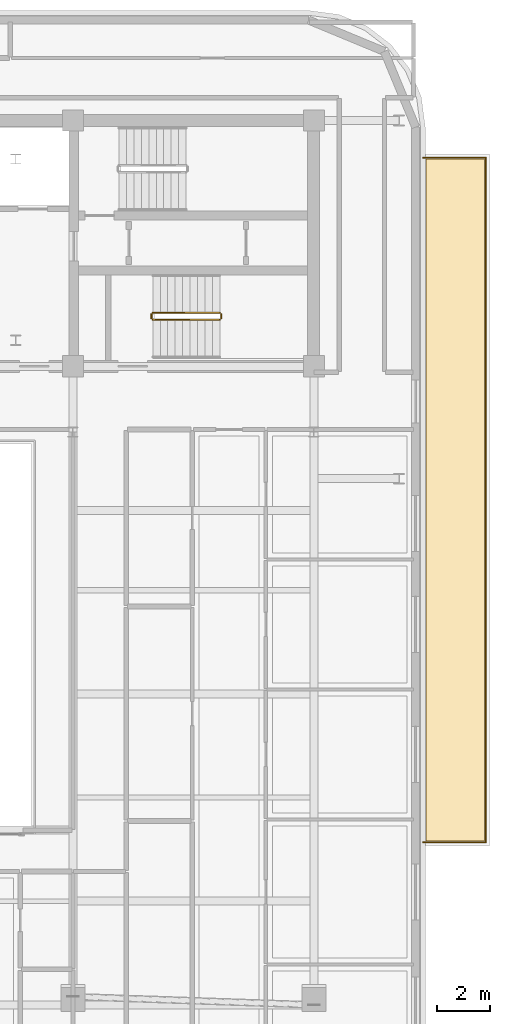
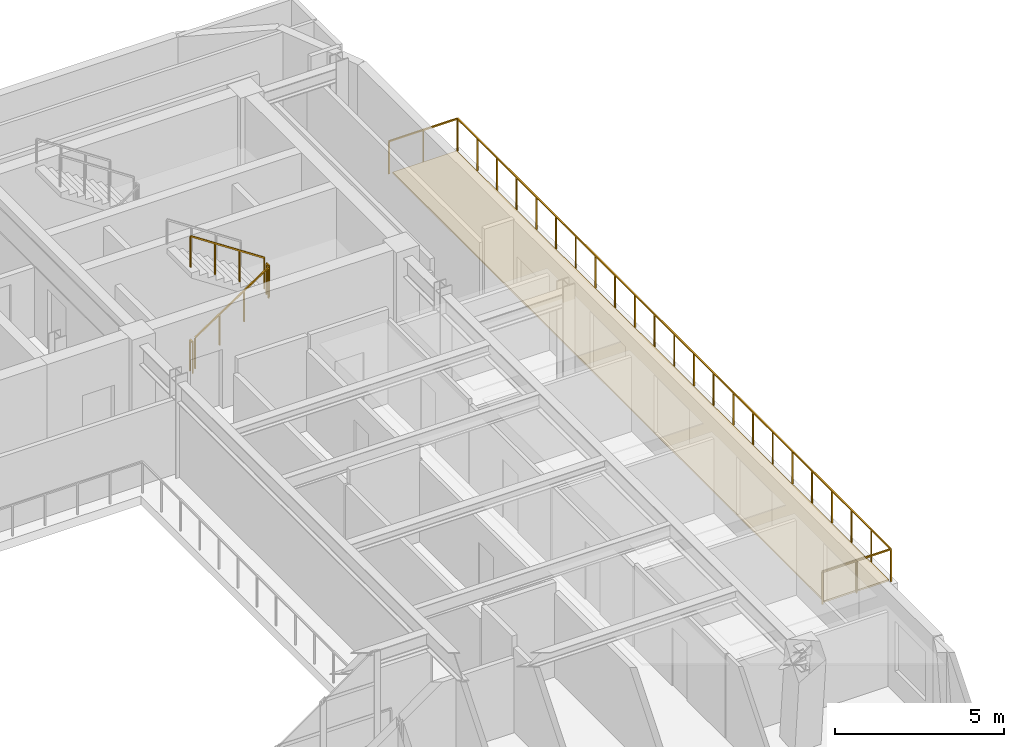
# One storey, part 13 of 14: 5 railings, 1 covering.
"""IFC4 building model written with IfcOpenShell, lengths in metres."""

from ifc_helpers import new_model, si_unit, direction, frame, origin, origin_2d, place, context, subcontext, project, spatial, polyline, rectangle, outline, extrude, material, layer, layer_set, type_object, element, save


model = new_model("IFC4")

# Units and contexts
model_context = context("Model", 3, precision=1e-05, world=origin(), true_north=direction((0.0, 1.0)))
body_context = subcontext(model_context, "Body", "Model", "MODEL_VIEW")
ifc_project = project(units=[si_unit("LENGTHUNIT", "METRE"), si_unit("AREAUNIT", "SQUARE_METRE"), si_unit("VOLUMEUNIT", "CUBIC_METRE"), si_unit("PLANEANGLEUNIT", "RADIAN"), si_unit("MASSUNIT", "GRAM", prefix="KILO")], contexts=[model_context])

# Site, building, storey
site_placement = place(None, origin())
site = spatial("IfcSite", under=ifc_project, at=site_placement, CompositionType="ELEMENT")
building_placement = place(site_placement, origin())
building = spatial("IfcBuilding", under=site, at=building_placement, Name="Zarnavel Station Tower", CompositionType="ELEMENT")
storey_placement = place(building_placement, frame((0.0, 0.0, 243.60009765625)))
storey = spatial("IfcBuildingStorey", under=building, at=storey_placement, Name="L66", CompositionType="ELEMENT", Elevation=243.60009765625)

# Covering
ifc_material_1 = material(Name="Liquid-Applied Elastomeric Terrace Waterproofing Membrane", Category="concrete")
ifc_layer = layer(ifc_material_1, 0.06005859375)
ifc_layer_set = layer_set([ifc_layer], Name="COV_TER_MEMBRANE")
covering_type = type_object("IfcCoveringType", Name="COV_TER_MEMBRANE", PredefinedType="ROOFING", material=ifc_layer_set)
covering_placement = place(storey_placement, origin())
element("IfcCovering", 1, at=covering_placement, inside=storey, type_object=covering_type, Name="L66 Terrace Paving Waterproofing TER-L66-E", PredefinedType="ROOFING", context=body_context, shape_type="SweptSolid", body=[
    extrude(outline(polyline([(49.60009765625, 10.0), (51.800048828125, 10.0), (51.800048828125, 35.60009765625), (49.60009765625, 35.60009765625), (49.60009765625, 10.0)])), origin(), (0.0, 0.0, 1.0), 0.059814453125),
])

# Railings
ifc_material_2 = material(Name="Black Coated Galvanised Steel S355J2 and Laminated Glass", Category="steel")
railing_type_1 = type_object("IfcRailingType", Name="GR_EXT_1200", PredefinedType="GUARDRAIL", material=ifc_material_2)
railing_1_placement = place(storey_placement, frame((49.5, 9.949951171875, 0.0)))
element("IfcRailing", 2, at=railing_1_placement, inside=storey, type_object=railing_type_1, Name="L66 Terrace Perimeter Guard TER-L66-E", PredefinedType="GUARDRAIL", context=body_context, shape_type="SweptSolid", body=[
    extrude(rectangle(XDim=0.048095703125, YDim=0.048095703125, at=origin_2d()), frame((0.001953125, 0.0, 1.17578125), z_axis=(1.0, 0.0, 0.0), x_axis=(0.0, 1.0, 0.0)), (0.0, 0.0, 1.0), 2.34619140625),
    extrude(rectangle(XDim=0.048095703125, YDim=0.048095703125, at=origin_2d()), frame((2.35009765625, 0.001953125, 1.17578125), z_axis=(0.0, 1.0, 0.0), x_axis=(-1.0, 0.0, 0.0)), (0.0, 0.0, 1.0), 25.696044921875),
    extrude(rectangle(XDim=0.048095703125, YDim=0.048095703125, at=origin_2d()), frame((2.34814453125, 25.699951171875, 1.17578125), z_axis=(-1.0, 0.0, 0.0), x_axis=(0.0, -1.0, 0.0)), (0.0, 0.0, 1.0), 2.34619140625),
    extrude(rectangle(XDim=0.0419921875, YDim=0.0419921875, at=origin_2d()), origin(), (0.0, 0.0, 1.0), 1.15185546875),
    extrude(rectangle(XDim=0.0419921875, YDim=0.0419921875, at=origin_2d()), frame((1.175048828125, 0.0, 0.0)), (0.0, 0.0, 1.0), 1.15185546875),
    extrude(rectangle(XDim=0.0419921875, YDim=0.0419921875, at=origin_2d()), frame((2.35009765625, 0.0, 0.0)), (0.0, 0.0, 1.0), 1.15185546875),
    extrude(rectangle(XDim=0.0419921875, YDim=0.0419921875, at=origin_2d()), frame((2.35009765625, 1.168212890625, 0.0)), (0.0, 0.0, 1.0), 1.15185546875),
    extrude(rectangle(XDim=0.0419921875, YDim=0.0419921875, at=origin_2d()), frame((2.35009765625, 2.33642578125, 0.0)), (0.0, 0.0, 1.0), 1.15185546875),
    extrude(rectangle(XDim=0.0419921875, YDim=0.0419921875, at=origin_2d()), frame((2.35009765625, 3.504638671875, 0.0)), (0.0, 0.0, 1.0), 1.15185546875),
    extrude(rectangle(XDim=0.0419921875, YDim=0.0419921875, at=origin_2d()), frame((2.35009765625, 4.672607421875, 0.0)), (0.0, 0.0, 1.0), 1.15185546875),
    extrude(rectangle(XDim=0.0419921875, YDim=0.0419921875, at=origin_2d()), frame((2.35009765625, 5.8408203125, 0.0)), (0.0, 0.0, 1.0), 1.15185546875),
    extrude(rectangle(XDim=0.0419921875, YDim=0.0419921875, at=origin_2d()), frame((2.35009765625, 7.009033203125, 0.0)), (0.0, 0.0, 1.0), 1.15185546875),
    extrude(rectangle(XDim=0.0419921875, YDim=0.0419921875, at=origin_2d()), frame((2.35009765625, 8.17724609375, 0.0)), (0.0, 0.0, 1.0), 1.15185546875),
    extrude(rectangle(XDim=0.0419921875, YDim=0.0419921875, at=origin_2d()), frame((2.35009765625, 9.345458984375, 0.0)), (0.0, 0.0, 1.0), 1.15185546875),
    extrude(rectangle(XDim=0.0419921875, YDim=0.0419921875, at=origin_2d()), frame((2.35009765625, 10.513671875, 0.0)), (0.0, 0.0, 1.0), 1.15185546875),
    extrude(rectangle(XDim=0.0419921875, YDim=0.0419921875, at=origin_2d()), frame((2.35009765625, 11.681884765625, 0.0)), (0.0, 0.0, 1.0), 1.15185546875),
    extrude(rectangle(XDim=0.0419921875, YDim=0.0419921875, at=origin_2d()), frame((2.35009765625, 12.85009765625, 0.0)), (0.0, 0.0, 1.0), 1.15185546875),
    extrude(rectangle(XDim=0.0419921875, YDim=0.0419921875, at=origin_2d()), frame((2.35009765625, 14.01806640625, 0.0)), (0.0, 0.0, 1.0), 1.15185546875),
    extrude(rectangle(XDim=0.0419921875, YDim=0.0419921875, at=origin_2d()), frame((2.35009765625, 15.186279296875, 0.0)), (0.0, 0.0, 1.0), 1.15185546875),
    extrude(rectangle(XDim=0.0419921875, YDim=0.0419921875, at=origin_2d()), frame((2.35009765625, 16.3544921875, 0.0)), (0.0, 0.0, 1.0), 1.15185546875),
    extrude(rectangle(XDim=0.0419921875, YDim=0.0419921875, at=origin_2d()), frame((2.35009765625, 17.522705078125, 0.0)), (0.0, 0.0, 1.0), 1.15185546875),
    extrude(rectangle(XDim=0.0419921875, YDim=0.0419921875, at=origin_2d()), frame((2.35009765625, 18.69091796875, 0.0)), (0.0, 0.0, 1.0), 1.15185546875),
    extrude(rectangle(XDim=0.0419921875, YDim=0.0419921875, at=origin_2d()), frame((2.35009765625, 19.859130859375, 0.0)), (0.0, 0.0, 1.0), 1.15185546875),
    extrude(rectangle(XDim=0.0419921875, YDim=0.0419921875, at=origin_2d()), frame((2.35009765625, 21.02734375, 0.0)), (0.0, 0.0, 1.0), 1.15185546875),
    extrude(rectangle(XDim=0.0419921875, YDim=0.0419921875, at=origin_2d()), frame((2.35009765625, 22.1953125, 0.0)), (0.0, 0.0, 1.0), 1.15185546875),
    extrude(rectangle(XDim=0.0419921875, YDim=0.0419921875, at=origin_2d()), frame((2.35009765625, 23.363525390625, 0.0)), (0.0, 0.0, 1.0), 1.15185546875),
    extrude(rectangle(XDim=0.0419921875, YDim=0.0419921875, at=origin_2d()), frame((2.35009765625, 24.53173828125, 0.0)), (0.0, 0.0, 1.0), 1.15185546875),
    extrude(rectangle(XDim=0.0419921875, YDim=0.0419921875, at=origin_2d()), frame((2.35009765625, 25.699951171875, 0.0)), (0.0, 0.0, 1.0), 1.15185546875),
    extrude(rectangle(XDim=0.0419921875, YDim=0.0419921875, at=origin_2d()), frame((1.175048828125, 25.699951171875, 0.0)), (0.0, 0.0, 1.0), 1.15185546875),
    extrude(rectangle(XDim=0.0419921875, YDim=0.0419921875, at=origin_2d()), frame((0.0, 25.699951171875, 0.0)), (0.0, 0.0, 1.0), 1.15185546875),
])
ifc_material_3 = material(Name="Painted Steel S355J2 Balustrade", Category="steel")
railing_type_2 = type_object("IfcRailingType", Name="GR_INT_1150", PredefinedType="GUARDRAIL", material=ifc_material_3)
railing_2_placement = place(storey_placement, frame((39.35009765625, 29.570068359375, 0.184814453125)))
element("IfcRailing", 3, at=railing_2_placement, inside=storey, type_object=railing_type_2, Name="L66 ST3 stair guard 1", PredefinedType="GUARDRAIL", context=body_context, shape_type="SweptSolid", body=[
    extrude(rectangle(XDim=0.048095703125, YDim=0.048095703125, at=origin_2d()), frame((0.001708984375, 0.0, 1.126953125), z_axis=(0.834331337432, 0.0, 0.55126329406), x_axis=(0.0, 1.0, 0.0)), (0.0, 0.0, 1.0), 3.016357421875),
    extrude(rectangle(XDim=0.0419921875, YDim=0.0419921875, at=origin_2d()), origin(), (0.0, 0.0, 1.0), 1.101806640625),
    extrude(rectangle(XDim=0.0419921875, YDim=0.0419921875, at=origin_2d()), frame((0.840087890625, 0.0, 0.554931640625)), (0.0, 0.0, 1.0), 1.101806640625),
    extrude(rectangle(XDim=0.0419921875, YDim=0.0419921875, at=origin_2d()), frame((1.679931640625, 0.0, 1.110107421875)), (0.0, 0.0, 1.0), 1.101806640625),
    extrude(rectangle(XDim=0.0419921875, YDim=0.0419921875, at=origin_2d()), frame((2.52001953125, 0.0, 1.6650390625)), (0.0, 0.0, 1.0), 1.101806640625),
])
railing_3_placement = place(storey_placement, frame((41.919921875, 29.6201171875, 1.849853515625)))
element("IfcRailing", 4, at=railing_3_placement, inside=storey, type_object=railing_type_2, Name="L66 ST3 stair guard 2", PredefinedType="GUARDRAIL", context=body_context, shape_type="SweptSolid", body=[
    extrude(rectangle(XDim=0.048095703125, YDim=0.048095703125, at=origin_2d()), frame((0.0, 0.001953125, 1.1259765625), z_axis=(0.0, 1.0, 0.0), x_axis=(-1.0, 0.0, 0.0)), (0.0, 0.0, 1.0), 0.156005859375),
    extrude(rectangle(XDim=0.0419921875, YDim=0.0419921875, at=origin_2d()), origin(), (0.0, 0.0, 1.0), 1.101806640625),
    extrude(rectangle(XDim=0.0419921875, YDim=0.0419921875, at=origin_2d()), frame((0.0, 0.159912109375, 0.0)), (0.0, 0.0, 1.0), 1.101806640625),
])
railing_4_placement = place(storey_placement, frame((41.8701171875, 29.830078125, 2.034912109375)))
element("IfcRailing", 5, at=railing_4_placement, inside=storey, type_object=railing_type_2, Name="L66 ST3 stair guard 3", PredefinedType="GUARDRAIL", context=body_context, shape_type="SweptSolid", body=[
    extrude(rectangle(XDim=0.048095703125, YDim=0.048095703125, at=origin_2d()), frame((-0.001708984375, 0.0, 1.126953125), z_axis=(-0.834331337432, 0.0, 0.55126329406), x_axis=(0.0, -1.0, 0.0)), (0.0, 0.0, 1.0), 3.016357421875),
    extrude(rectangle(XDim=0.0419921875, YDim=0.0419921875, at=origin_2d()), origin(), (0.0, 0.0, 1.0), 1.101806640625),
    extrude(rectangle(XDim=0.0419921875, YDim=0.0419921875, at=origin_2d()), frame((-0.840087890625, 0.0, 0.554931640625)), (0.0, 0.0, 1.0), 1.101806640625),
    extrude(rectangle(XDim=0.0419921875, YDim=0.0419921875, at=origin_2d()), frame((-1.679931640625, 0.0, 1.110107421875)), (0.0, 0.0, 1.0), 1.101806640625),
    extrude(rectangle(XDim=0.0419921875, YDim=0.0419921875, at=origin_2d()), frame((-2.52001953125, 0.0, 1.6650390625)), (0.0, 0.0, 1.0), 1.101806640625),
])
railing_5_placement = place(storey_placement, frame((39.300048828125, 29.6201171875, 0.0)))
element("IfcRailing", 6, at=railing_5_placement, inside=storey, type_object=railing_type_2, Name="L66 ST3 stair guard 4", PredefinedType="GUARDRAIL", context=body_context, shape_type="SweptSolid", body=[
    extrude(rectangle(XDim=0.048095703125, YDim=0.048095703125, at=origin_2d()), frame((0.0, 0.001953125, 1.1259765625), z_axis=(0.0, 1.0, 0.0), x_axis=(-1.0, 0.0, 0.0)), (0.0, 0.0, 1.0), 0.156005859375),
    extrude(rectangle(XDim=0.0419921875, YDim=0.0419921875, at=origin_2d()), origin(), (0.0, 0.0, 1.0), 1.101806640625),
    extrude(rectangle(XDim=0.0419921875, YDim=0.0419921875, at=origin_2d()), frame((0.0, 0.159912109375, 0.0)), (0.0, 0.0, 1.0), 1.101806640625),
])

save(model, "model.ifc")
